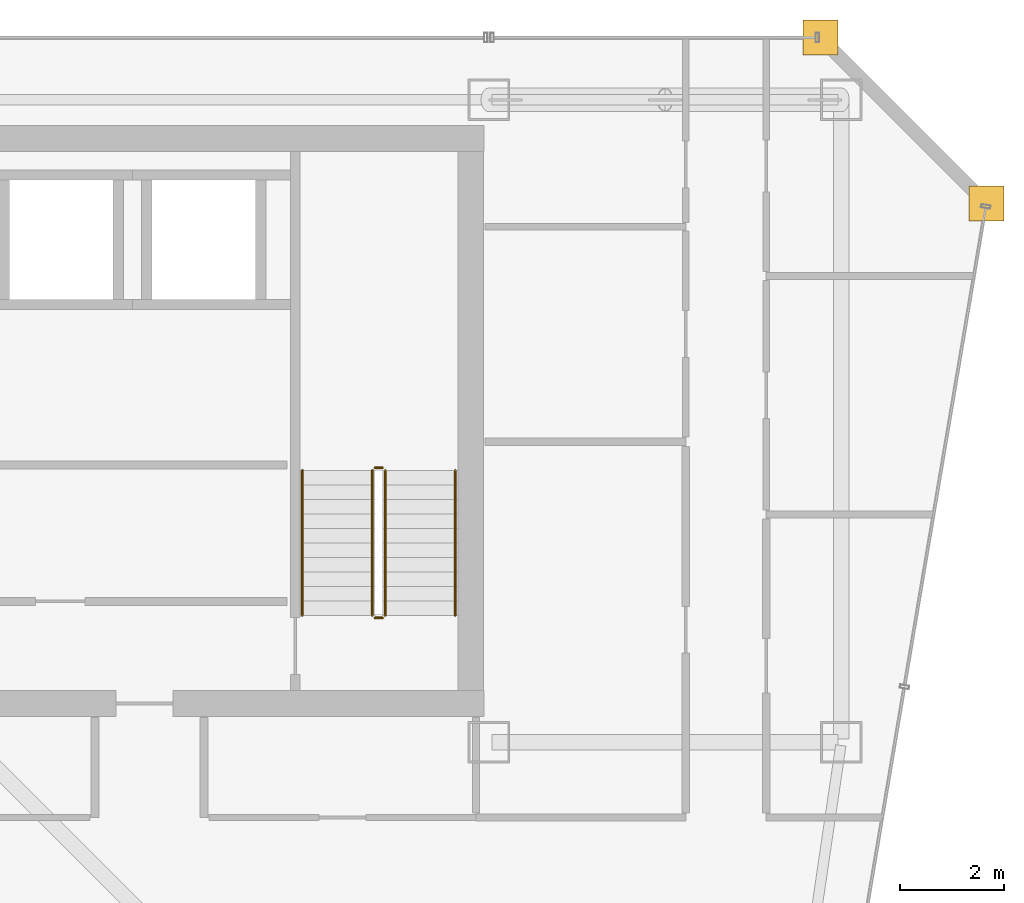
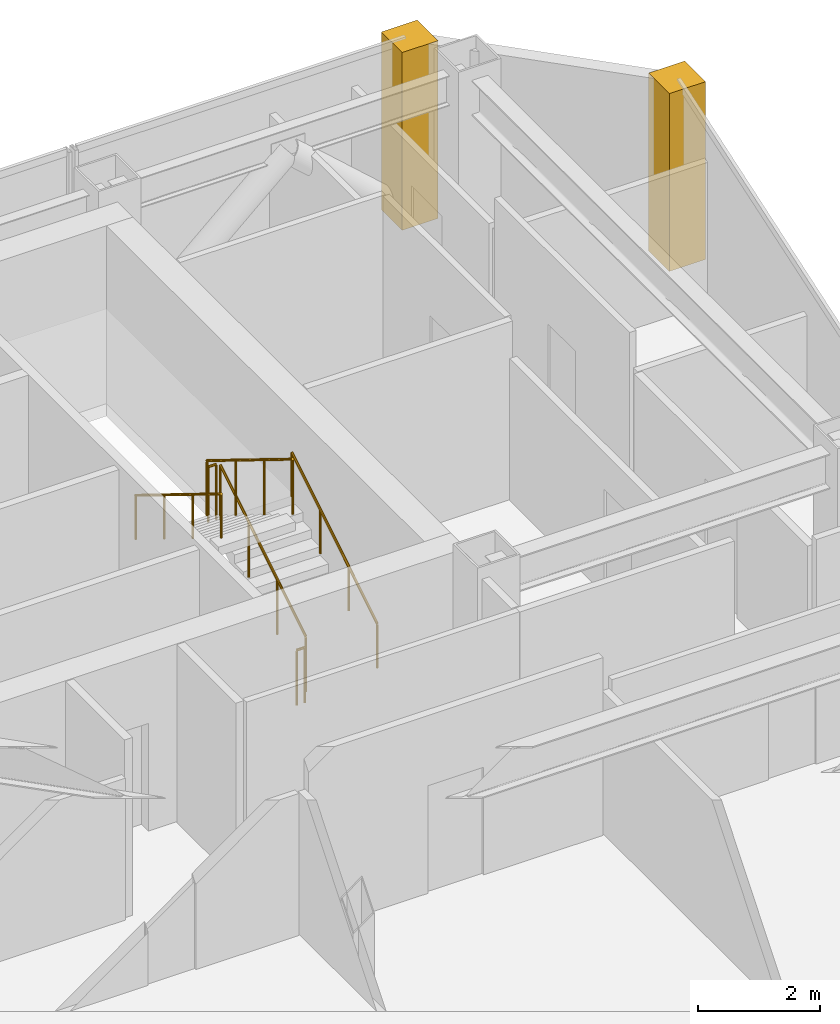
# One storey, part 36 of 36: 6 railings, 2 coverings.
"""IFC4 building model written with IfcOpenShell, lengths in metres."""

import ifcopenshell
import ifcopenshell.guid

model = None  # the IFC model being written
_history = None  # IfcOwnerHistory: only IFC2X3 demands one
_inside = {}  # id of a spatial element -> (the spatial element, [elements in it])
_under = {}  # id of a project, library or spatial element -> (it, [spatial elements below it])
_declared = {}  # id of a project -> (the project, [libraries it declares])
_typed = {}  # id of a type object -> (the type object, [elements of that type])
_made_of = {}  # id of a material, layer set ... -> (it, [elements and type objects made of it])


def new_model(schema):
    """Start an empty IFC model of exactly this schema.

    Asked for "IFC4X3", IfcOpenShell would pick the latest addendum, in which some entities
    have other attributes; the version numbers below select the first issue.
    IFC2X3 requires an IfcOwnerHistory on every rooted entity: one is made here for all.
    """
    global model, _history
    if schema == "IFC4X3":
        model = ifcopenshell.file(schema_version=(4, 3, 0, 0))
    else:
        model = ifcopenshell.file(schema=schema)
    _inside.clear()
    _under.clear()
    _declared.clear()
    _typed.clear()
    _made_of.clear()
    _history = None
    if model.schema == "IFC2X3":
        org = make("IfcOrganization", Name="unknown")
        user = make(
            "IfcPersonAndOrganization",
            ThePerson=make("IfcPerson", FamilyName="unknown"),
            TheOrganization=org,
        )
        app = make(
            "IfcApplication",
            ApplicationDeveloper=org,
            Version="unknown",
            ApplicationFullName="unknown",
            ApplicationIdentifier="unknown",
        )
        _history = make(
            "IfcOwnerHistory",
            OwningUser=user,
            OwningApplication=app,
            ChangeAction="ADDED",
            CreationDate=0,
        )
    return model


def make(cls, **values):
    """One entity of the class cls with the attributes given. An attribute that is None is left unset."""
    return model.create_entity(
        cls, **{name: value for name, value in values.items() if value is not None}
    )


def rooted(cls, **values):
    """An entity with a GlobalId (a new one), such as an element, a storey or a relation."""
    return make(cls, GlobalId=ifcopenshell.guid.new(), OwnerHistory=_history, **values)


def si_unit(unit_type, name, prefix=None):
    """IfcSIUnit, for example si_unit("LENGTHUNIT", "METRE", prefix="MILLI")."""
    return make("IfcSIUnit", UnitType=unit_type, Prefix=prefix, Name=name)


def assignment(units):
    """IfcUnitAssignment: the units of a project."""
    return None if units is None else make("IfcUnitAssignment", Units=units)


def point(xyz):
    """IfcCartesianPoint."""
    return None if xyz is None else make("IfcCartesianPoint", Coordinates=xyz)


def direction(xyz):
    """IfcDirection."""
    return None if xyz is None else make("IfcDirection", DirectionRatios=xyz)


def frame(location, z_axis=None, x_axis=None):
    """IfcAxis2Placement3D, a coordinate frame: its origin and axes. An axis left out is left unset."""
    return make(
        "IfcAxis2Placement3D",
        Location=point(location),
        Axis=direction(z_axis),
        RefDirection=direction(x_axis),
    )


def frame_2d(location, x_axis=None):
    """IfcAxis2Placement2D, a coordinate frame in the plane: its origin and x axis."""
    return make(
        "IfcAxis2Placement2D", Location=point(location), RefDirection=direction(x_axis)
    )


def origin():
    """The frame at (0, 0, 0) with its axes left unset."""
    return frame((0.0, 0.0, 0.0))


def origin_2d():
    """The frame at (0, 0) in the plane with its x axis left unset."""
    return frame_2d((0.0, 0.0))


def place(relative_to, where):
    """IfcLocalPlacement: puts the frame where relative to a parent placement (None: the world)."""
    return make(
        "IfcLocalPlacement", PlacementRelTo=relative_to, RelativePlacement=where
    )


def context(
    kind, dimensions, precision=None, world=None, true_north=None, identifier=None
):
    """IfcGeometricRepresentationContext, for example the 3D "Model" context."""
    return make(
        "IfcGeometricRepresentationContext",
        ContextIdentifier=identifier,
        ContextType=kind,
        CoordinateSpaceDimension=dimensions,
        Precision=precision,
        WorldCoordinateSystem=world,
        TrueNorth=true_north,
    )


def subcontext(parent, identifier, kind, view, scale=None):
    """IfcGeometricRepresentationSubContext, for example "Body" below "Model"."""
    return make(
        "IfcGeometricRepresentationSubContext",
        ContextIdentifier=identifier,
        ContextType=kind,
        ParentContext=parent,
        TargetScale=scale,
        TargetView=view,
    )


def project(units=None, contexts=None):
    """IfcProject with its units and contexts."""
    return rooted(
        "IfcProject",
        Name="project",
        RepresentationContexts=contexts,
        UnitsInContext=assignment(units),
    )


def spatial(cls, under=None, at=None, **own):
    """A site, building, storey or space (cls), placed at a placement, below another one or the project."""
    s = rooted(cls, ObjectPlacement=at, **own)
    if under is not None:
        _under.setdefault(under.id(), (under, []))[1].append(s)
    return s


def polyline(points):
    """IfcPolyline through the points."""
    return make("IfcPolyline", Points=[point(p) for p in points])


def profile(cls, at=None, kind="AREA", **sizes):
    """A parametric profile (cls). Its sizes go by their IFC names, for example OverallWidth=200.0."""
    return make(cls, ProfileType=kind, Position=at, **sizes)


def circle(**sizes):
    """IfcCircleProfileDef."""
    return profile("IfcCircleProfileDef", **sizes)


def outline(outer, holes=None, kind="AREA"):
    """IfcArbitraryClosedProfileDef: a profile drawn as a closed curve; with holes, ...WithVoids."""
    if holes is None:
        return make("IfcArbitraryClosedProfileDef", ProfileType=kind, OuterCurve=outer)
    return make(
        "IfcArbitraryProfileDefWithVoids",
        ProfileType=kind,
        OuterCurve=outer,
        InnerCurves=holes,
    )


def extrude(swept, where, along, depth):
    """IfcExtrudedAreaSolid: the profile swept, set in the frame where, extruded along a direction by depth."""
    return make(
        "IfcExtrudedAreaSolid",
        SweptArea=swept,
        Position=where,
        ExtrudedDirection=direction(along),
        Depth=depth,
    )


def shape(context_of_items, identifier, shape_type, items):
    """IfcShapeRepresentation: the items that make up one representation, for example the "Body"."""
    return make(
        "IfcShapeRepresentation",
        ContextOfItems=context_of_items,
        RepresentationIdentifier=identifier,
        RepresentationType=shape_type,
        Items=items,
    )


def material(Name=None, Category=None):
    """IfcMaterial."""
    return make("IfcMaterial", Name=Name, Category=Category)


def layer(
    of_material, thickness, ventilated=None, Name=None, Category=None, Priority=None
):
    """IfcMaterialLayer: one layer of a wall or slab, of a material (None: an air gap)."""
    return make(
        "IfcMaterialLayer",
        Material=of_material,
        LayerThickness=thickness,
        IsVentilated=ventilated,
        Name=Name,
        Category=Category,
        Priority=Priority,
    )


def layer_set(layers, Name=None):
    """IfcMaterialLayerSet."""
    return make("IfcMaterialLayerSet", MaterialLayers=layers, LayerSetName=Name)


def made_of(thing, what):
    """Note that an element or type object is made of a material, layer set ...; save() writes the relation."""
    if what is not None:
        _made_of.setdefault(what.id(), (what, []))[1].append(thing)
    return thing


def type_object(cls, material=None, **own):
    """A type object (cls), such as IfcWallType, which elements share."""
    return made_of(rooted(cls, **own), material)


def element(
    cls,
    number,
    at=None,
    inside=None,
    cuts=None,
    type_object=None,
    material=None,
    context=None,
    identifier="Body",
    shape_type=None,
    held_by="IfcProductDefinitionShape",
    body=None,
    shapes=None,
    **own,
):
    """One element of the class cls, such as IfcWall. Its Tag is "e" and its number.

    at: its placement. inside: the storey or other place that contains it. cuts: it is an
    opening in that element (IfcRelVoidsElement). A single representation is given by context,
    identifier, shape_type and body (its items); several are given by shapes. held_by: the class
    of the entity that holds the representations. save() writes the other relations.
    """
    e = rooted(cls, Tag="e%d" % number, ObjectPlacement=at, **own)
    if body is not None:
        shapes = [shape(context, identifier, shape_type, body)]
    if shapes is not None:
        e.Representation = make(held_by, Representations=shapes)
    if inside is not None:
        _inside.setdefault(inside.id(), (inside, []))[1].append(e)
    if cuts is not None:
        rooted(
            "IfcRelVoidsElement", RelatingBuildingElement=cuts, RelatedOpeningElement=e
        )
    if type_object is not None:
        _typed.setdefault(type_object.id(), (type_object, []))[1].append(e)
    return made_of(e, material)


def aggregate(whole, parts):
    """IfcRelAggregates: a whole, such as a stair, and the parts it consists of."""
    return rooted("IfcRelAggregates", RelatingObject=whole, RelatedObjects=parts)


def save(model, path):
    """Write the relations noted so far, then the file.

    IfcRelAggregates (storeys below a building ...), IfcRelContainedInSpatialStructure (elements
    in a storey), IfcRelDefinesByType, IfcRelAssociatesMaterial and IfcRelDeclares: one each for
    every whole, place, type object, material and project.
    """
    for whole, parts in _under.values():
        aggregate(whole, parts)
    for where, things in _inside.values():
        rooted(
            "IfcRelContainedInSpatialStructure",
            RelatedElements=things,
            RelatingStructure=where,
        )
    for kind, things in _typed.values():
        rooted("IfcRelDefinesByType", RelatedObjects=things, RelatingType=kind)
    for what, things in _made_of.values():
        rooted("IfcRelAssociatesMaterial", RelatedObjects=things, RelatingMaterial=what)
    for by, libraries in _declared.values():
        rooted("IfcRelDeclares", RelatingContext=by, RelatedDefinitions=libraries)
    model.write(path)


model = new_model("IFC4")

# Units and contexts
model_context = context("Model", 3, precision=1e-05, world=origin(), true_north=direction((0.0, 1.0)))
body_context = subcontext(model_context, "Body", "Model", "MODEL_VIEW")
ifc_project = project(units=[si_unit("LENGTHUNIT", "METRE"), si_unit("AREAUNIT", "SQUARE_METRE"), si_unit("VOLUMEUNIT", "CUBIC_METRE"), si_unit("PLANEANGLEUNIT", "RADIAN"), si_unit("MASSUNIT", "GRAM", prefix="KILO")], contexts=[model_context])

# Site, building, storey
site_placement = place(None, origin())
site = spatial("IfcSite", under=ifc_project, at=site_placement, CompositionType="ELEMENT")
building_placement = place(site_placement, origin())
building = spatial("IfcBuilding", under=site, at=building_placement, Name="Saevonmaru Cultural Tower", CompositionType="ELEMENT")
storey_placement = place(building_placement, frame((0.0, 0.0, 182.800048828125)))
storey = spatial("IfcBuildingStorey", under=building, at=storey_placement, Name="L41", CompositionType="ELEMENT", Elevation=182.800048828125)

# Coverings
ifc_material_1 = material(Name="Satin Bronze Anodised Aluminium", Category="aluminium")
ifc_layer = layer(ifc_material_1, 0.679931640625, Name="Satin Bronze Anodised Aluminium")
ifc_layer_set = layer_set([ifc_layer], Name="Satin Bronze Anodised Aluminium")
covering_type = type_object("IfcCoveringType", Name="CV-CORNER-CLAD", PredefinedType="CLADDING", material=ifc_layer_set)
covering_1_placement = place(storey_placement, origin())
element("IfcCovering", 1, at=covering_1_placement, inside=storey, type_object=covering_type, Name="L41 Tower Bronze Corner Cladding Pier 9", PredefinedType="CLADDING", context=body_context, shape_type="SweptSolid", body=[
    extrude(outline(polyline([(55.659912109375, 52.4599609375), (56.340087890625, 52.4599609375), (56.340087890625, 53.139892578125), (55.659912109375, 53.139892578125), (55.659912109375, 52.4599609375)])), origin(), (0.0, 0.0, 1.0), 3.550048828125),
])
covering_2_placement = place(storey_placement, origin())
element("IfcCovering", 2, at=covering_2_placement, inside=storey, type_object=covering_type, Name="L41 Tower Bronze Corner Cladding Pier 10", PredefinedType="CLADDING", context=body_context, shape_type="SweptSolid", body=[
    extrude(outline(polyline([(52.4599609375, 55.659912109375), (53.139892578125, 55.659912109375), (53.139892578125, 56.340087890625), (52.4599609375, 56.340087890625), (52.4599609375, 55.659912109375)])), origin(), (0.0, 0.0, 1.0), 3.550048828125),
])

# Railings
ifc_material_2 = material(Name="Architectural Painted Steel", Category="steel")
railing_type_1 = type_object("IfcRailingType", Name="RL-STAIR-GUARD", PredefinedType="GUARDRAIL", material=ifc_material_2)
railing_1_placement = place(storey_placement, frame((44.39990234375, 44.85009765625, 0.172607421875)))
element("IfcRailing", 3, at=railing_1_placement, inside=storey, type_object=railing_type_1, Name="L41 ST-2 stair guard 1", PredefinedType="GUARDRAIL", context=body_context, shape_type="SweptSolid", body=[
    extrude(circle(Radius=0.02392578125, at=origin_2d()), frame((0.0, 0.0, 1.09619140625), z_axis=(0.0, 0.851069175582, 0.525053576669), x_axis=(-1.0, 0.0, 0.0)), (0.0, 0.0, 1.0), 3.289794921875),
    extrude(circle(Radius=0.02099609375, at=origin_2d()), origin(), (0.0, 0.0, 1.0), 1.072021484375),
    extrude(circle(Radius=0.02099609375, at=origin_2d()), frame((0.0, 0.933349609375, 0.57568359375)), (0.0, 0.0, 1.0), 1.072021484375),
    extrude(circle(Radius=0.02099609375, at=origin_2d()), frame((0.0, 1.866455078125, 1.151611328125)), (0.0, 0.0, 1.0), 1.072021484375),
    extrude(circle(Radius=0.02099609375, at=origin_2d()), frame((0.0, 2.7998046875, 1.727294921875)), (0.0, 0.0, 1.0), 1.072021484375),
])
railing_2_placement = place(storey_placement, frame((44.35009765625, 47.699951171875, 1.89990234375)))
element("IfcRailing", 4, at=railing_2_placement, inside=storey, type_object=railing_type_1, Name="L41 ST-2 stair guard 2", PredefinedType="GUARDRAIL", context=body_context, shape_type="SweptSolid", body=[
    extrude(circle(Radius=0.02392578125, at=origin_2d()), frame((0.0, 0.0, 1.09619140625), z_axis=(-1.0, 0.0, 0.0), x_axis=(0.0, -1.0, 0.0)), (0.0, 0.0, 1.0), 0.150146484375),
    extrude(circle(Radius=0.02099609375, at=origin_2d()), origin(), (0.0, 0.0, 1.0), 1.072021484375),
    extrude(circle(Radius=0.02099609375, at=origin_2d()), frame((-0.150146484375, 0.0, 0.0)), (0.0, 0.0, 1.0), 1.072021484375),
])
railing_3_placement = place(storey_placement, frame((44.14990234375, 47.64990234375, 2.07275390625)))
element("IfcRailing", 5, at=railing_3_placement, inside=storey, type_object=railing_type_1, Name="L41 ST-2 stair guard 3", PredefinedType="GUARDRAIL", context=body_context, shape_type="SweptSolid", body=[
    extrude(circle(Radius=0.02392578125, at=origin_2d()), frame((0.0, 0.0, 1.09619140625), z_axis=(0.0, -0.851069175582, 0.525053576669), x_axis=(1.0, 0.0, 0.0)), (0.0, 0.0, 1.0), 3.289794921875),
    extrude(circle(Radius=0.02099609375, at=origin_2d()), origin(), (0.0, 0.0, 1.0), 1.072021484375),
    extrude(circle(Radius=0.02099609375, at=origin_2d()), frame((0.0, -0.933349609375, 0.57568359375)), (0.0, 0.0, 1.0), 1.072021484375),
    extrude(circle(Radius=0.02099609375, at=origin_2d()), frame((0.0, -1.866455078125, 1.151611328125)), (0.0, 0.0, 1.0), 1.072021484375),
    extrude(circle(Radius=0.02099609375, at=origin_2d()), frame((0.0, -2.7998046875, 1.727294921875)), (0.0, 0.0, 1.0), 1.072021484375),
])
railing_4_placement = place(storey_placement, frame((44.35009765625, 44.800048828125, 0.0)))
element("IfcRailing", 6, at=railing_4_placement, inside=storey, type_object=railing_type_1, Name="L41 ST-2 stair guard 4", PredefinedType="GUARDRAIL", context=body_context, shape_type="SweptSolid", body=[
    extrude(circle(Radius=0.02392578125, at=origin_2d()), frame((0.0, 0.0, 1.09619140625), z_axis=(-1.0, 0.0, 0.0), x_axis=(0.0, -1.0, 0.0)), (0.0, 0.0, 1.0), 0.150146484375),
    extrude(circle(Radius=0.02099609375, at=origin_2d()), origin(), (0.0, 0.0, 1.0), 1.072021484375),
    extrude(circle(Radius=0.02099609375, at=origin_2d()), frame((-0.150146484375, 0.0, 0.0)), (0.0, 0.0, 1.0), 1.072021484375),
])
railing_type_2 = type_object("IfcRailingType", Name="RL-STAIR-HANDRAIL", PredefinedType="HANDRAIL", material=ifc_material_1)
railing_5_placement = place(storey_placement, frame((45.75, 44.85009765625, 0.172607421875)))
element("IfcRailing", 7, at=railing_5_placement, inside=storey, type_object=railing_type_2, Name="L41 ST-2 stair handrail 1", PredefinedType="HANDRAIL", context=body_context, shape_type="SweptSolid", body=[
    extrude(circle(Radius=0.02392578125, at=origin_2d()), frame((0.0, 0.0, 0.8759765625), z_axis=(0.0, 0.851069175582, 0.525053576669), x_axis=(-1.0, 0.0, 0.0)), (0.0, 0.0, 1.0), 3.289794921875),
    extrude(circle(Radius=0.02099609375, at=origin_2d()), origin(), (0.0, 0.0, 1.0), 0.851806640625),
    extrude(circle(Radius=0.02099609375, at=origin_2d()), frame((0.0, 0.933349609375, 0.57568359375)), (0.0, 0.0, 1.0), 0.851806640625),
    extrude(circle(Radius=0.02099609375, at=origin_2d()), frame((0.0, 1.866455078125, 1.151611328125)), (0.0, 0.0, 1.0), 0.851806640625),
    extrude(circle(Radius=0.02099609375, at=origin_2d()), frame((0.0, 2.7998046875, 1.727294921875)), (0.0, 0.0, 1.0), 0.851806640625),
])
railing_6_placement = place(storey_placement, frame((42.800048828125, 47.64990234375, 2.07275390625)))
element("IfcRailing", 8, at=railing_6_placement, inside=storey, type_object=railing_type_2, Name="L41 ST-2 stair handrail 2", PredefinedType="HANDRAIL", context=body_context, shape_type="SweptSolid", body=[
    extrude(circle(Radius=0.02392578125, at=origin_2d()), frame((0.0, 0.0, 0.8759765625), z_axis=(0.0, -0.851069175582, 0.525053576669), x_axis=(1.0, 0.0, 0.0)), (0.0, 0.0, 1.0), 3.289794921875),
    extrude(circle(Radius=0.02099609375, at=origin_2d()), origin(), (0.0, 0.0, 1.0), 0.851806640625),
    extrude(circle(Radius=0.02099609375, at=origin_2d()), frame((0.0, -0.933349609375, 0.57568359375)), (0.0, 0.0, 1.0), 0.851806640625),
    extrude(circle(Radius=0.02099609375, at=origin_2d()), frame((0.0, -1.866455078125, 1.151611328125)), (0.0, 0.0, 1.0), 0.851806640625),
    extrude(circle(Radius=0.02099609375, at=origin_2d()), frame((0.0, -2.7998046875, 1.727294921875)), (0.0, 0.0, 1.0), 0.851806640625),
])

save(model, "model.ifc")
